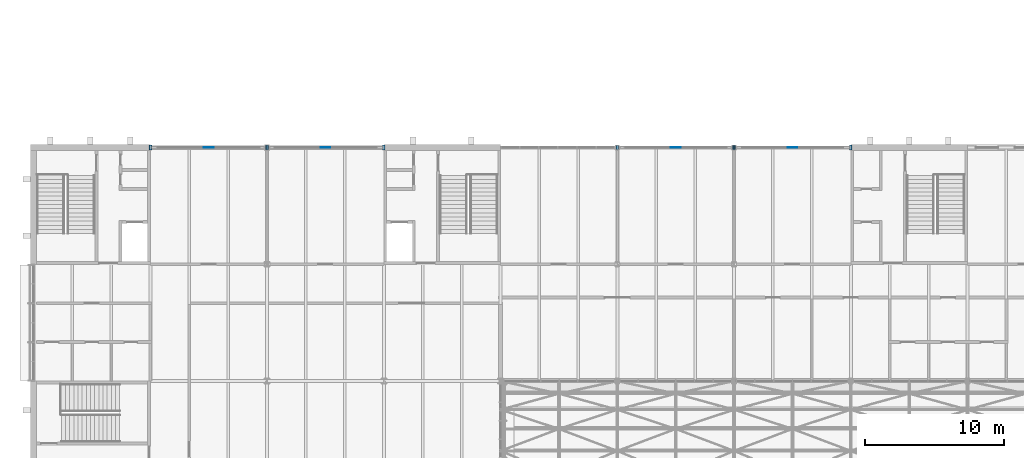
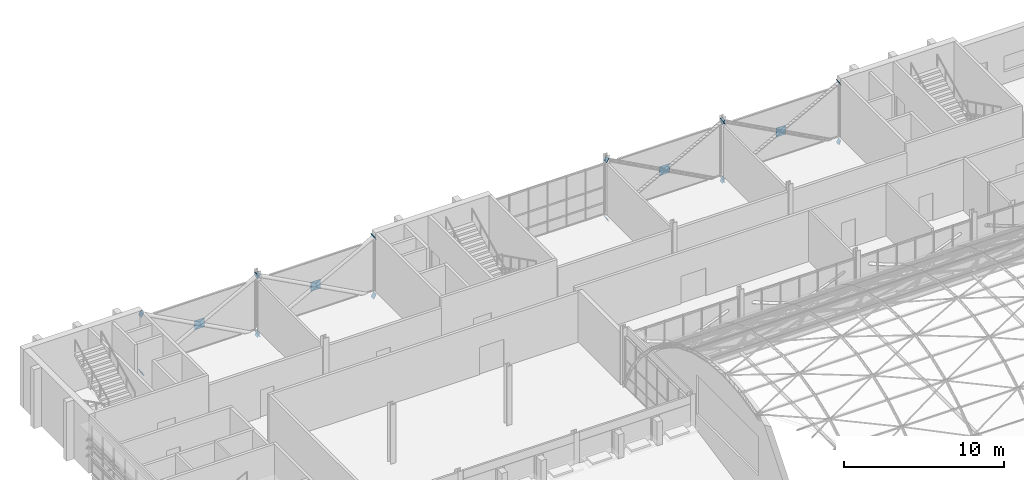
# One storey, part 117 of 121: 20 discrete accessories.
"""IFC4 building model written with IfcOpenShell, lengths in metres."""

import ifcopenshell
import ifcopenshell.guid

model = None  # the IFC model being written
_history = None  # IfcOwnerHistory: only IFC2X3 demands one
_inside = {}  # id of a spatial element -> (the spatial element, [elements in it])
_under = {}  # id of a project, library or spatial element -> (it, [spatial elements below it])
_declared = {}  # id of a project -> (the project, [libraries it declares])
_typed = {}  # id of a type object -> (the type object, [elements of that type])
_made_of = {}  # id of a material, layer set ... -> (it, [elements and type objects made of it])


def new_model(schema):
    """Start an empty IFC model of exactly this schema.

    Asked for "IFC4X3", IfcOpenShell would pick the latest addendum, in which some entities
    have other attributes; the version numbers below select the first issue.
    IFC2X3 requires an IfcOwnerHistory on every rooted entity: one is made here for all.
    """
    global model, _history
    if schema == "IFC4X3":
        model = ifcopenshell.file(schema_version=(4, 3, 0, 0))
    else:
        model = ifcopenshell.file(schema=schema)
    _inside.clear()
    _under.clear()
    _declared.clear()
    _typed.clear()
    _made_of.clear()
    _history = None
    if model.schema == "IFC2X3":
        org = make("IfcOrganization", Name="unknown")
        user = make(
            "IfcPersonAndOrganization",
            ThePerson=make("IfcPerson", FamilyName="unknown"),
            TheOrganization=org,
        )
        app = make(
            "IfcApplication",
            ApplicationDeveloper=org,
            Version="unknown",
            ApplicationFullName="unknown",
            ApplicationIdentifier="unknown",
        )
        _history = make(
            "IfcOwnerHistory",
            OwningUser=user,
            OwningApplication=app,
            ChangeAction="ADDED",
            CreationDate=0,
        )
    return model


def make(cls, **values):
    """One entity of the class cls with the attributes given. An attribute that is None is left unset."""
    return model.create_entity(
        cls, **{name: value for name, value in values.items() if value is not None}
    )


def rooted(cls, **values):
    """An entity with a GlobalId (a new one), such as an element, a storey or a relation."""
    return make(cls, GlobalId=ifcopenshell.guid.new(), OwnerHistory=_history, **values)


def si_unit(unit_type, name, prefix=None):
    """IfcSIUnit, for example si_unit("LENGTHUNIT", "METRE", prefix="MILLI")."""
    return make("IfcSIUnit", UnitType=unit_type, Prefix=prefix, Name=name)


def assignment(units):
    """IfcUnitAssignment: the units of a project."""
    return None if units is None else make("IfcUnitAssignment", Units=units)


def point(xyz):
    """IfcCartesianPoint."""
    return None if xyz is None else make("IfcCartesianPoint", Coordinates=xyz)


def direction(xyz):
    """IfcDirection."""
    return None if xyz is None else make("IfcDirection", DirectionRatios=xyz)


def frame(location, z_axis=None, x_axis=None):
    """IfcAxis2Placement3D, a coordinate frame: its origin and axes. An axis left out is left unset."""
    return make(
        "IfcAxis2Placement3D",
        Location=point(location),
        Axis=direction(z_axis),
        RefDirection=direction(x_axis),
    )


def frame_2d(location, x_axis=None):
    """IfcAxis2Placement2D, a coordinate frame in the plane: its origin and x axis."""
    return make(
        "IfcAxis2Placement2D", Location=point(location), RefDirection=direction(x_axis)
    )


def origin():
    """The frame at (0, 0, 0) with its axes left unset."""
    return frame((0.0, 0.0, 0.0))


def origin_2d():
    """The frame at (0, 0) in the plane with its x axis left unset."""
    return frame_2d((0.0, 0.0))


def place(relative_to, where):
    """IfcLocalPlacement: puts the frame where relative to a parent placement (None: the world)."""
    return make(
        "IfcLocalPlacement", PlacementRelTo=relative_to, RelativePlacement=where
    )


def context(
    kind, dimensions, precision=None, world=None, true_north=None, identifier=None
):
    """IfcGeometricRepresentationContext, for example the 3D "Model" context."""
    return make(
        "IfcGeometricRepresentationContext",
        ContextIdentifier=identifier,
        ContextType=kind,
        CoordinateSpaceDimension=dimensions,
        Precision=precision,
        WorldCoordinateSystem=world,
        TrueNorth=true_north,
    )


def subcontext(parent, identifier, kind, view, scale=None):
    """IfcGeometricRepresentationSubContext, for example "Body" below "Model"."""
    return make(
        "IfcGeometricRepresentationSubContext",
        ContextIdentifier=identifier,
        ContextType=kind,
        ParentContext=parent,
        TargetScale=scale,
        TargetView=view,
    )


def project(units=None, contexts=None):
    """IfcProject with its units and contexts."""
    return rooted(
        "IfcProject",
        Name="project",
        RepresentationContexts=contexts,
        UnitsInContext=assignment(units),
    )


def spatial(cls, under=None, at=None, **own):
    """A site, building, storey or space (cls), placed at a placement, below another one or the project."""
    s = rooted(cls, ObjectPlacement=at, **own)
    if under is not None:
        _under.setdefault(under.id(), (under, []))[1].append(s)
    return s


def profile(cls, at=None, kind="AREA", **sizes):
    """A parametric profile (cls). Its sizes go by their IFC names, for example OverallWidth=200.0."""
    return make(cls, ProfileType=kind, Position=at, **sizes)


def rectangle(**sizes):
    """IfcRectangleProfileDef."""
    return profile("IfcRectangleProfileDef", **sizes)


def extrude(swept, where, along, depth):
    """IfcExtrudedAreaSolid: the profile swept, set in the frame where, extruded along a direction by depth."""
    return make(
        "IfcExtrudedAreaSolid",
        SweptArea=swept,
        Position=where,
        ExtrudedDirection=direction(along),
        Depth=depth,
    )


def shape(context_of_items, identifier, shape_type, items):
    """IfcShapeRepresentation: the items that make up one representation, for example the "Body"."""
    return make(
        "IfcShapeRepresentation",
        ContextOfItems=context_of_items,
        RepresentationIdentifier=identifier,
        RepresentationType=shape_type,
        Items=items,
    )


def material(Name=None, Category=None):
    """IfcMaterial."""
    return make("IfcMaterial", Name=Name, Category=Category)


def material_profile(
    of_material, cross_section, Name=None, Category=None, Priority=None
):
    """IfcMaterialProfile: a cross section and its material."""
    return make(
        "IfcMaterialProfile",
        Name=Name,
        Material=of_material,
        Profile=cross_section,
        Priority=Priority,
        Category=Category,
    )


def profile_set(profiles, Name=None, composite=None):
    """IfcMaterialProfileSet."""
    return make(
        "IfcMaterialProfileSet",
        Name=Name,
        MaterialProfiles=profiles,
        CompositeProfile=composite,
    )


def made_of(thing, what):
    """Note that an element or type object is made of a material, layer set ...; save() writes the relation."""
    if what is not None:
        _made_of.setdefault(what.id(), (what, []))[1].append(thing)
    return thing


def type_object(cls, material=None, **own):
    """A type object (cls), such as IfcWallType, which elements share."""
    return made_of(rooted(cls, **own), material)


def element(
    cls,
    number,
    at=None,
    inside=None,
    cuts=None,
    type_object=None,
    material=None,
    context=None,
    identifier="Body",
    shape_type=None,
    held_by="IfcProductDefinitionShape",
    body=None,
    shapes=None,
    **own,
):
    """One element of the class cls, such as IfcWall. Its Tag is "e" and its number.

    at: its placement. inside: the storey or other place that contains it. cuts: it is an
    opening in that element (IfcRelVoidsElement). A single representation is given by context,
    identifier, shape_type and body (its items); several are given by shapes. held_by: the class
    of the entity that holds the representations. save() writes the other relations.
    """
    e = rooted(cls, Tag="e%d" % number, ObjectPlacement=at, **own)
    if body is not None:
        shapes = [shape(context, identifier, shape_type, body)]
    if shapes is not None:
        e.Representation = make(held_by, Representations=shapes)
    if inside is not None:
        _inside.setdefault(inside.id(), (inside, []))[1].append(e)
    if cuts is not None:
        rooted(
            "IfcRelVoidsElement", RelatingBuildingElement=cuts, RelatedOpeningElement=e
        )
    if type_object is not None:
        _typed.setdefault(type_object.id(), (type_object, []))[1].append(e)
    return made_of(e, material)


def aggregate(whole, parts):
    """IfcRelAggregates: a whole, such as a stair, and the parts it consists of."""
    return rooted("IfcRelAggregates", RelatingObject=whole, RelatedObjects=parts)


def save(model, path):
    """Write the relations noted so far, then the file.

    IfcRelAggregates (storeys below a building ...), IfcRelContainedInSpatialStructure (elements
    in a storey), IfcRelDefinesByType, IfcRelAssociatesMaterial and IfcRelDeclares: one each for
    every whole, place, type object, material and project.
    """
    for whole, parts in _under.values():
        aggregate(whole, parts)
    for where, things in _inside.values():
        rooted(
            "IfcRelContainedInSpatialStructure",
            RelatedElements=things,
            RelatingStructure=where,
        )
    for kind, things in _typed.values():
        rooted("IfcRelDefinesByType", RelatedObjects=things, RelatingType=kind)
    for what, things in _made_of.values():
        rooted("IfcRelAssociatesMaterial", RelatedObjects=things, RelatingMaterial=what)
    for by, libraries in _declared.values():
        rooted("IfcRelDeclares", RelatingContext=by, RelatedDefinitions=libraries)
    model.write(path)


model = new_model("IFC4")

# Units and contexts
model_context = context("Model", 3, precision=1e-05, world=origin(), true_north=direction((0.0, 1.0)))
body_context = subcontext(model_context, "Body", "Model", "MODEL_VIEW")
ifc_project = project(units=[si_unit("LENGTHUNIT", "METRE"), si_unit("AREAUNIT", "SQUARE_METRE"), si_unit("VOLUMEUNIT", "CUBIC_METRE"), si_unit("PLANEANGLEUNIT", "RADIAN"), si_unit("MASSUNIT", "GRAM", prefix="KILO")], contexts=[model_context])

# Site, building, storey
site_placement = place(None, origin())
site = spatial("IfcSite", under=ifc_project, at=site_placement, CompositionType="ELEMENT")
building_placement = place(site_placement, origin())
building = spatial("IfcBuilding", under=site, at=building_placement, Name="Ardhachandra Cancer Care Centre", CompositionType="ELEMENT")
storey_placement = place(building_placement, frame((0.0, 0.0, 9.0)))
storey = spatial("IfcBuildingStorey", under=building, at=storey_placement, Name="L02", CompositionType="ELEMENT", Elevation=9.0)

# Discrete accessories
ifc_material_1 = material(Name="Steel E250 (IS 2062)", Category="steel")
ifc_material_profile_1 = material_profile(ifc_material_1, rectangle(XDim=0.344482421875, YDim=0.344482421875, at=origin_2d()), Name="PL 344x344x20")
ifc_profile_set_1 = profile_set([ifc_material_profile_1], Name="Steel E250 (IS 2062)")
discrete_accessory_type_1 = type_object("IfcDiscreteAccessoryType", Name="Brace end plate 344 x 344 x 20", PredefinedType="BRACKET", material=ifc_profile_set_1)
for number, where, z_axis, x_axis, name in (
    (1, (52.800048828125, 96.60009765625, -0.39990234375), (0.884384752847, 0.0, 0.466758619558), (0.0, 1.0, 0.0), "Brace end plate V1-X966-528 L02 A0"),
    (2, (61.199951171875, 96.60009765625, 4.117919921875), (-0.884384752847, 0.0, -0.466758619558), (0.0, -1.0, 0.0), "Brace end plate V1-X966-528 L02 A1"),
    (3, (61.199951171875, 96.60009765625, -0.39990234375), (-0.884384752847, 0.0, 0.466758619558), (0.0, -1.0, 0.0), "Brace end plate V1-X966-528 L02 B10"),
    (4, (52.800048828125, 96.60009765625, 4.117919921875), (0.884384752847, 0.0, -0.466758619558), (0.0, 1.0, 0.0), "Brace end plate V1-X966-528 L02 B21"),
    (5, (61.199951171875, 96.60009765625, -0.39990234375), (0.884384752847, 0.0, 0.466758619558), (0.0, 1.0, 0.0), "Brace end plate V1-X966-612 L02 A0"),
):
    element("IfcDiscreteAccessory", number, at=place(storey_placement, frame(where, z_axis=z_axis, x_axis=x_axis)), inside=storey, type_object=discrete_accessory_type_1, Name=name, PredefinedType="BRACKET", context=body_context, shape_type="SweptSolid", body=[
        extrude(rectangle(XDim=0.344482421875, YDim=0.344482421875, at=origin_2d()), origin(), (0.0, 0.0, 1.0), 0.019775390625),
    ])
for number, where, z_axis, x_axis, name in (
    (6, (69.60009765625, 96.60009765625, 4.117919921875), (-0.887017774073, 0.0, -0.461735279655), (0.0, -1.0, 0.0), "Brace end plate V1-X966-612 L02 A1"),
    (7, (69.60009765625, 96.60009765625, -0.39990234375), (-0.887017774073, 0.0, 0.461735279655), (0.0, -1.0, 0.0), "Brace end plate V1-X966-612 L02 B10"),
):
    element("IfcDiscreteAccessory", number, at=place(storey_placement, frame(where, z_axis=z_axis, x_axis=x_axis)), inside=storey, type_object=discrete_accessory_type_1, Name=name, PredefinedType="BRACKET", context=body_context, shape_type="SweptSolid", body=[
        extrude(rectangle(XDim=0.344482421875, YDim=0.344482421875, at=origin_2d()), origin(), (0.0, 0.0, 1.0), 0.02001953125),
    ])
discrete_accessory_1_placement = place(storey_placement, frame((61.199951171875, 96.60009765625, 4.117919921875), z_axis=(0.884384752847, 0.0, -0.466758619558), x_axis=(0.0, 1.0, 0.0)))
element("IfcDiscreteAccessory", 8, at=discrete_accessory_1_placement, inside=storey, type_object=discrete_accessory_type_1, Name="Brace end plate V1-X966-612 L02 B21", PredefinedType="BRACKET", context=body_context, shape_type="SweptSolid", body=[
    extrude(rectangle(XDim=0.344482421875, YDim=0.344482421875, at=origin_2d()), origin(), (0.0, 0.0, 1.0), 0.019775390625),
])
ifc_material_2 = material(Name="Steel E250 (IS 2062)", Category="steel")
ifc_material_profile_2 = material_profile(ifc_material_2, rectangle(XDim=0.373046875, YDim=0.373046875, at=origin_2d()), Name="PL 373x373x20")
ifc_profile_set_2 = profile_set([ifc_material_profile_2], Name="Steel E250 (IS 2062)")
discrete_accessory_type_2 = type_object("IfcDiscreteAccessoryType", Name="Brace end plate 373 x 373 x 20", PredefinedType="BRACKET", material=ifc_profile_set_2)
discrete_accessory_2_placement = place(storey_placement, frame((19.199951171875, 96.60009765625, -0.39990234375), z_axis=(0.884384752847, 0.0, 0.466758619558), x_axis=(0.0, 1.0, 0.0)))
element("IfcDiscreteAccessory", 9, at=discrete_accessory_2_placement, inside=storey, type_object=discrete_accessory_type_2, Name="Brace end plate V6-X966-192 L02 A0", PredefinedType="BRACKET", context=body_context, shape_type="SweptSolid", body=[
    extrude(rectangle(XDim=0.373046875, YDim=0.373046875, at=origin_2d()), origin(), (0.0, 0.0, 1.0), 0.019775390625),
])
discrete_accessory_3_placement = place(storey_placement, frame((27.60009765625, 96.60009765625, 4.10009765625), z_axis=(-0.882018256262, 0.0, -0.471215232798), x_axis=(0.0, -1.0, 0.0)))
element("IfcDiscreteAccessory", 10, at=discrete_accessory_3_placement, inside=storey, type_object=discrete_accessory_type_2, Name="Brace end plate V6-X966-192 L02 A1", PredefinedType="BRACKET", context=body_context, shape_type="SweptSolid", body=[
    extrude(rectangle(XDim=0.373046875, YDim=0.373046875, at=origin_2d()), origin(), (0.0, 0.0, 1.0), 0.020263671875),
])
for number, where, z_axis, x_axis, name in (
    (11, (27.60009765625, 96.60009765625, -0.39990234375), (-0.887017774073, 0.0, 0.461735279655), (0.0, -1.0, 0.0), "Brace end plate V6-X966-192 L02 B10"),
    (12, (19.199951171875, 96.60009765625, 4.10009765625), (0.879291966537, 0.0, -0.476283148541), (0.0, 1.0, 0.0), "Brace end plate V6-X966-192 L02 B21"),
):
    element("IfcDiscreteAccessory", number, at=place(storey_placement, frame(where, z_axis=z_axis, x_axis=x_axis)), inside=storey, type_object=discrete_accessory_type_2, Name=name, PredefinedType="BRACKET", context=body_context, shape_type="SweptSolid", body=[
        extrude(rectangle(XDim=0.373046875, YDim=0.373046875, at=origin_2d()), origin(), (0.0, 0.0, 1.0), 0.02001953125),
    ])
discrete_accessory_4_placement = place(storey_placement, frame((27.60009765625, 96.60009765625, -0.39990234375), z_axis=(0.884384752847, 0.0, 0.466758619558), x_axis=(0.0, 1.0, 0.0)))
element("IfcDiscreteAccessory", 13, at=discrete_accessory_4_placement, inside=storey, type_object=discrete_accessory_type_2, Name="Brace end plate V6-X966-276 L02 A0", PredefinedType="BRACKET", context=body_context, shape_type="SweptSolid", body=[
    extrude(rectangle(XDim=0.373046875, YDim=0.373046875, at=origin_2d()), origin(), (0.0, 0.0, 1.0), 0.019775390625),
])
discrete_accessory_5_placement = place(storey_placement, frame((36.0, 96.60009765625, 4.10009765625), z_axis=(-0.879291966537, 0.0, -0.476283148541), x_axis=(0.0, -1.0, 0.0)))
element("IfcDiscreteAccessory", 14, at=discrete_accessory_5_placement, inside=storey, type_object=discrete_accessory_type_2, Name="Brace end plate V6-X966-276 L02 A1", PredefinedType="BRACKET", context=body_context, shape_type="SweptSolid", body=[
    extrude(rectangle(XDim=0.373046875, YDim=0.373046875, at=origin_2d()), origin(), (0.0, 0.0, 1.0), 0.02001953125),
])
discrete_accessory_6_placement = place(storey_placement, frame((36.0, 96.60009765625, -0.39990234375), z_axis=(-0.884384752847, 0.0, 0.466758619558), x_axis=(0.0, -1.0, 0.0)))
element("IfcDiscreteAccessory", 15, at=discrete_accessory_6_placement, inside=storey, type_object=discrete_accessory_type_2, Name="Brace end plate V6-X966-276 L02 B10", PredefinedType="BRACKET", context=body_context, shape_type="SweptSolid", body=[
    extrude(rectangle(XDim=0.373046875, YDim=0.373046875, at=origin_2d()), origin(), (0.0, 0.0, 1.0), 0.019775390625),
])
discrete_accessory_7_placement = place(storey_placement, frame((27.60009765625, 96.60009765625, 4.10009765625), z_axis=(0.879291966537, 0.0, -0.476283148541), x_axis=(0.0, 1.0, 0.0)))
element("IfcDiscreteAccessory", 16, at=discrete_accessory_7_placement, inside=storey, type_object=discrete_accessory_type_2, Name="Brace end plate V6-X966-276 L02 B21", PredefinedType="BRACKET", context=body_context, shape_type="SweptSolid", body=[
    extrude(rectangle(XDim=0.373046875, YDim=0.373046875, at=origin_2d()), origin(), (0.0, 0.0, 1.0), 0.02001953125),
])
ifc_material_3 = material(Name="Steel E250 (IS 2062)", Category="steel")
ifc_material_profile_3 = material_profile(ifc_material_3, rectangle(XDim=0.699951171875, YDim=0.699951171875, at=origin_2d()), Name="PL 700x700x20")
ifc_profile_set_3 = profile_set([ifc_material_profile_3], Name="Steel E250 (IS 2062)")
discrete_accessory_type_3 = type_object("IfcDiscreteAccessoryType", Name="Brace node plate 700 x 700 x 20", PredefinedType="BRACKET", material=ifc_profile_set_3)
for number, where, z_axis, x_axis, name in (
    (17, (23.39990234375, 96.590087890625, 1.85009765625), (0.0, 1.0, 0.0), (-1.0, 0.0, 0.0), "Brace node plate V6-X966-192 L02"),
    (18, (31.800048828125, 96.590087890625, 1.85009765625), (0.0, 1.0, 0.0), (-1.0, 0.0, 0.0), "Brace node plate V6-X966-276 L02"),
    (19, (57.0, 96.590087890625, 1.85888671875), (0.0, 1.0, 0.0), (-1.0, 0.0, 0.0), "Brace node plate V1-X966-528 L02"),
    (20, (65.39990234375, 96.590087890625, 1.85888671875), (0.0, 1.0, 0.0), (-1.0, 0.0, 0.0), "Brace node plate V1-X966-612 L02"),
):
    element("IfcDiscreteAccessory", number, at=place(storey_placement, frame(where, z_axis=z_axis, x_axis=x_axis)), inside=storey, type_object=discrete_accessory_type_3, Name=name, PredefinedType="BRACKET", context=body_context, shape_type="SweptSolid", body=[
        extrude(rectangle(XDim=0.699951171875, YDim=0.699951171875, at=origin_2d()), origin(), (0.0, 0.0, 1.0), 0.02001953125),
    ])

save(model, "model.ifc")
